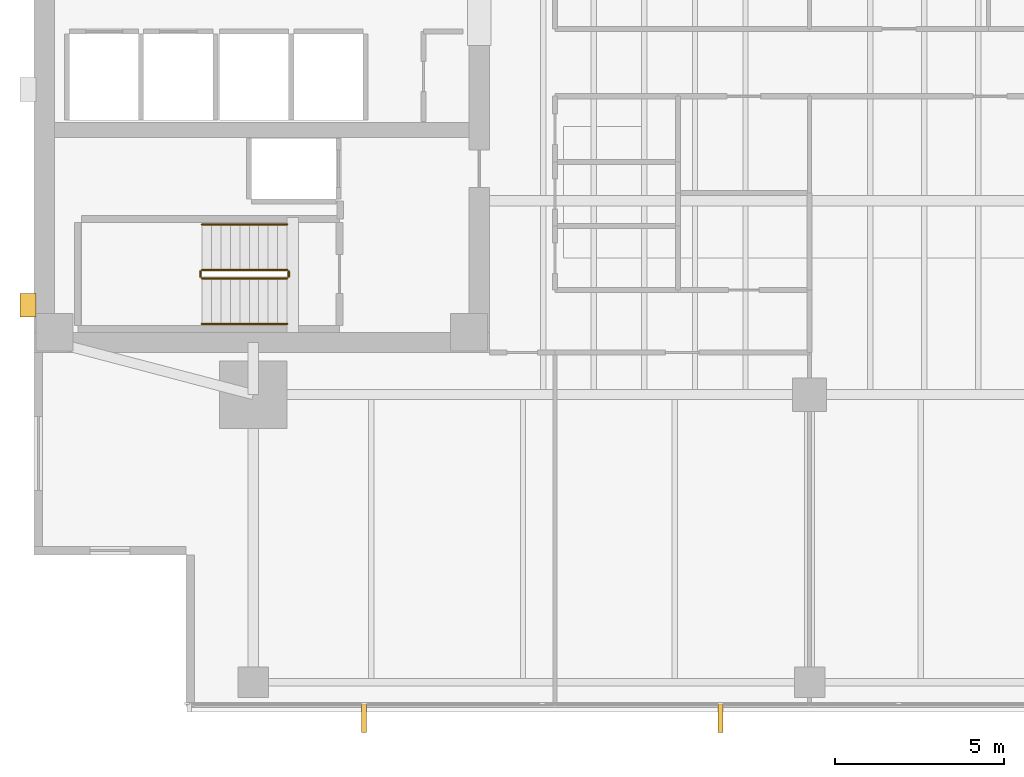
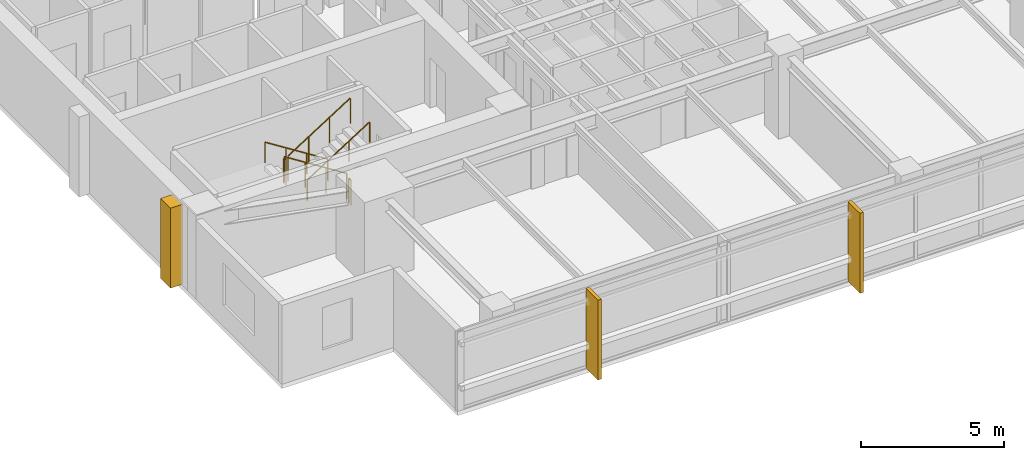
# One storey, part 11 of 14: 6 railings, 3 coverings.
"""IFC4 building model written with IfcOpenShell, lengths in metres."""

from ifc_helpers import new_model, si_unit, direction, frame, origin, origin_2d, place, context, subcontext, project, spatial, polyline, circle, outline, extrude, material, layer, layer_set, type_object, element, save


model = new_model("IFC4")

# Units and contexts
model_context = context("Model", 3, precision=1e-05, world=origin(), true_north=direction((0.0, 1.0)))
body_context = subcontext(model_context, "Body", "Model", "MODEL_VIEW")
ifc_project = project(units=[si_unit("LENGTHUNIT", "METRE"), si_unit("AREAUNIT", "SQUARE_METRE"), si_unit("VOLUMEUNIT", "CUBIC_METRE"), si_unit("PLANEANGLEUNIT", "RADIAN"), si_unit("MASSUNIT", "GRAM", prefix="KILO")], contexts=[model_context])

# Site, building, storey
site_placement = place(None, origin())
site = spatial("IfcSite", under=ifc_project, at=site_placement, CompositionType="ELEMENT")
building_placement = place(site_placement, origin())
building = spatial("IfcBuilding", under=site, at=building_placement, Name="Kinhvarn Gate Tower", CompositionType="ELEMENT")
storey_placement = place(building_placement, frame((0.0, 0.0, 166.14990234375)))
storey = spatial("IfcBuildingStorey", under=building, at=storey_placement, Name="L44", CompositionType="ELEMENT", Elevation=166.14990234375)

# Coverings
ifc_material_1 = material(Name="Fired architectural terracotta", Category="masonry")
ifc_layer_1 = layer(ifc_material_1, 0.139892578125)
ifc_layer_set_1 = layer_set([ifc_layer_1], Name="Fired architectural terracotta")
covering_type_1 = type_object("IfcCoveringType", Name="COV-FIN-850", PredefinedType="CLADDING", material=ifc_layer_set_1)
covering_1_placement = place(storey_placement, frame((0.0, 0.0, -0.02001953125)))
element("IfcCovering", 1, at=covering_1_placement, inside=storey, type_object=covering_type_1, Name="Vertical Terracotta Expressive Fin TFN-850 (L44)", PredefinedType="CLADDING", context=body_context, shape_type="SweptSolid", body=[
    extrude(outline(polyline([(14.2158203125, 3.580078125), (14.355712890625, 3.580078125), (14.355712890625, 2.72998046875), (14.2158203125, 2.72998046875), (14.2158203125, 3.580078125)])), origin(), (0.0, 0.0, 1.0), 3.41015625),
])
covering_2_placement = place(storey_placement, frame((0.0, 0.0, -0.02001953125)))
element("IfcCovering", 2, at=covering_2_placement, inside=storey, type_object=covering_type_1, Name="Vertical Terracotta Expressive Fin TFN-850 (L44)", PredefinedType="CLADDING", context=body_context, shape_type="SweptSolid", body=[
    extrude(outline(polyline([(24.787109375, 3.580078125), (24.927001953125, 3.580078125), (24.927001953125, 2.72998046875), (24.787109375, 2.72998046875), (24.787109375, 3.580078125)])), origin(), (0.0, 0.0, 1.0), 3.41015625),
])
ifc_material_2 = material(Name="Precast white architectural concrete C40/50", Category="concrete")
ifc_layer_2 = layer(ifc_material_2, 0.47998046875)
ifc_layer_set_2 = layer_set([ifc_layer_2], Name="Precast white architectural concrete C40/50")
covering_type_2 = type_object("IfcCoveringType", Name="COV-RIB-450", PredefinedType="CLADDING", material=ifc_layer_set_2)
covering_3_placement = place(storey_placement, frame((0.0, 0.0, -0.02001953125)))
element("IfcCovering", 3, at=covering_3_placement, inside=storey, type_object=covering_type_2, Name="West Core Sculptural Concrete Relief Rib CRB-450 (L44)", PredefinedType="CLADDING", context=body_context, shape_type="SweptSolid", body=[
    extrude(outline(polyline([(4.080078125, 15.050048828125), (4.56005859375, 15.050048828125), (4.56005859375, 15.75), (4.080078125, 15.75), (4.080078125, 15.050048828125)])), origin(), (0.0, 0.0, 1.0), 3.41015625),
])

# Railings
ifc_material_3 = material(Name="Steel S355", Category="steel")
railing_type_1 = type_object("IfcRailingType", Name="RL-ST-GRD", PredefinedType="BALUSTRADE", material=ifc_material_3)
railing_1_placement = place(storey_placement, frame((12.0, 16.449951171875, 0.177490234375)))
element("IfcRailing", 4, at=railing_1_placement, inside=storey, type_object=railing_type_1, Name="L44 ST1 stair guard 1", PredefinedType="BALUSTRADE", context=body_context, shape_type="SweptSolid", body=[
    extrude(circle(Radius=0.02392578125, at=origin_2d()), frame((0.0, 0.0, 1.076171875), z_axis=(-0.84456994832, 0.0, 0.535445237532), x_axis=(0.0, -1.0, 0.0)), (0.0, 0.0, 1.0), 2.98388671875),
    extrude(circle(Radius=0.02099609375, at=origin_2d()), origin(), (0.0, 0.0, 1.0), 1.052001953125),
    extrude(circle(Radius=0.02099609375, at=origin_2d()), frame((-0.840087890625, 0.0, 0.532470703125)), (0.0, 0.0, 1.0), 1.052001953125),
    extrude(circle(Radius=0.02099609375, at=origin_2d()), frame((-1.679931640625, 0.0, 1.065185546875)), (0.0, 0.0, 1.0), 1.052001953125),
    extrude(circle(Radius=0.02099609375, at=origin_2d()), frame((-2.52001953125, 0.0, 1.59765625)), (0.0, 0.0, 1.0), 1.052001953125),
])
railing_2_placement = place(storey_placement, frame((9.429931640625, 16.39990234375, 1.775146484375)))
element("IfcRailing", 5, at=railing_2_placement, inside=storey, type_object=railing_type_1, Name="L44 ST1 stair guard 2", PredefinedType="BALUSTRADE", context=body_context, shape_type="SweptSolid", body=[
    extrude(circle(Radius=0.02392578125, at=origin_2d()), frame((0.0, 0.0, 1.076171875), z_axis=(0.0, -1.0, 0.0), x_axis=(1.0, 0.0, 0.0)), (0.0, 0.0, 1.0), 0.14990234375),
    extrude(circle(Radius=0.02099609375, at=origin_2d()), origin(), (0.0, 0.0, 1.0), 1.052001953125),
    extrude(circle(Radius=0.02099609375, at=origin_2d()), frame((0.0, -0.14990234375, 0.0)), (0.0, 0.0, 1.0), 1.052001953125),
])
railing_3_placement = place(storey_placement, frame((9.47998046875, 16.199951171875, 1.95263671875)))
element("IfcRailing", 6, at=railing_3_placement, inside=storey, type_object=railing_type_1, Name="L44 ST1 stair guard 3", PredefinedType="BALUSTRADE", context=body_context, shape_type="SweptSolid", body=[
    extrude(circle(Radius=0.02392578125, at=origin_2d()), frame((0.0, 0.0, 1.076171875), z_axis=(0.84460694969, 0.0, 0.535386869969), x_axis=(0.0, 1.0, 0.0)), (0.0, 0.0, 1.0), 2.983642578125),
    extrude(circle(Radius=0.02099609375, at=origin_2d()), origin(), (0.0, 0.0, 1.0), 1.052001953125),
    extrude(circle(Radius=0.02099609375, at=origin_2d()), frame((0.840087890625, 0.0, 0.532470703125)), (0.0, 0.0, 1.0), 1.052001953125),
    extrude(circle(Radius=0.02099609375, at=origin_2d()), frame((1.679931640625, 0.0, 1.06494140625)), (0.0, 0.0, 1.0), 1.052001953125),
    extrude(circle(Radius=0.02099609375, at=origin_2d()), frame((2.52001953125, 0.0, 1.597412109375)), (0.0, 0.0, 1.0), 1.052001953125),
])
railing_4_placement = place(storey_placement, frame((12.050048828125, 16.39990234375, 0.0)))
element("IfcRailing", 7, at=railing_4_placement, inside=storey, type_object=railing_type_1, Name="L44 ST1 stair guard 4", PredefinedType="BALUSTRADE", context=body_context, shape_type="SweptSolid", body=[
    extrude(circle(Radius=0.02392578125, at=origin_2d()), frame((0.0, 0.0, 1.076171875), z_axis=(0.0, -1.0, 0.0), x_axis=(1.0, 0.0, 0.0)), (0.0, 0.0, 1.0), 0.14990234375),
    extrude(circle(Radius=0.02099609375, at=origin_2d()), origin(), (0.0, 0.0, 1.0), 1.052001953125),
    extrude(circle(Radius=0.02099609375, at=origin_2d()), frame((0.0, -0.14990234375, 0.0)), (0.0, 0.0, 1.0), 1.052001953125),
])
railing_type_2 = type_object("IfcRailingType", Name="RL-ST-HND", PredefinedType="HANDRAIL", material=ifc_material_3)
railing_5_placement = place(storey_placement, frame((12.0, 17.800048828125, 0.177490234375)))
element("IfcRailing", 8, at=railing_5_placement, inside=storey, type_object=railing_type_2, Name="L44 ST1 stair handrail 1", PredefinedType="HANDRAIL", context=body_context, shape_type="SweptSolid", body=[
    extrude(circle(Radius=0.02392578125, at=origin_2d()), frame((0.0, 0.0, 0.8759765625), z_axis=(-0.84456994832, 0.0, 0.535445237532), x_axis=(0.0, -1.0, 0.0)), (0.0, 0.0, 1.0), 2.98388671875),
    extrude(circle(Radius=0.02099609375, at=origin_2d()), origin(), (0.0, 0.0, 1.0), 0.851806640625),
    extrude(circle(Radius=0.02099609375, at=origin_2d()), frame((-0.840087890625, 0.0, 0.532470703125)), (0.0, 0.0, 1.0), 0.851806640625),
    extrude(circle(Radius=0.02099609375, at=origin_2d()), frame((-1.679931640625, 0.0, 1.065185546875)), (0.0, 0.0, 1.0), 0.851806640625),
    extrude(circle(Radius=0.02099609375, at=origin_2d()), frame((-2.52001953125, 0.0, 1.59765625)), (0.0, 0.0, 1.0), 0.851806640625),
])
railing_6_placement = place(storey_placement, frame((9.47998046875, 14.85009765625, 1.95263671875)))
element("IfcRailing", 9, at=railing_6_placement, inside=storey, type_object=railing_type_2, Name="L44 ST1 stair handrail 2", PredefinedType="HANDRAIL", context=body_context, shape_type="SweptSolid", body=[
    extrude(circle(Radius=0.02392578125, at=origin_2d()), frame((0.0, 0.0, 0.8759765625), z_axis=(0.84460694969, 0.0, 0.535386869969), x_axis=(0.0, 1.0, 0.0)), (0.0, 0.0, 1.0), 2.983642578125),
    extrude(circle(Radius=0.02099609375, at=origin_2d()), origin(), (0.0, 0.0, 1.0), 0.851806640625),
    extrude(circle(Radius=0.02099609375, at=origin_2d()), frame((0.840087890625, 0.0, 0.532470703125)), (0.0, 0.0, 1.0), 0.851806640625),
    extrude(circle(Radius=0.02099609375, at=origin_2d()), frame((1.679931640625, 0.0, 1.06494140625)), (0.0, 0.0, 1.0), 0.851806640625),
    extrude(circle(Radius=0.02099609375, at=origin_2d()), frame((2.52001953125, 0.0, 1.597412109375)), (0.0, 0.0, 1.0), 0.851806640625),
])

save(model, "model.ifc")
